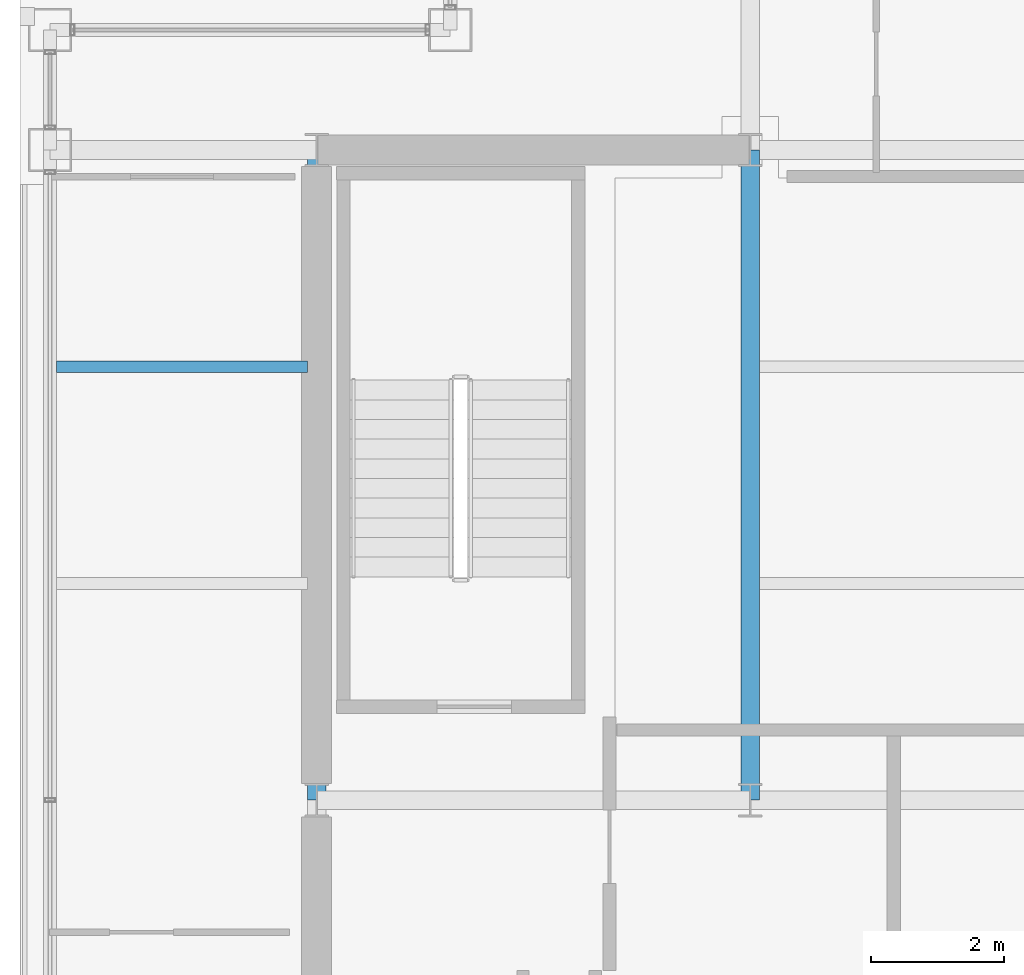
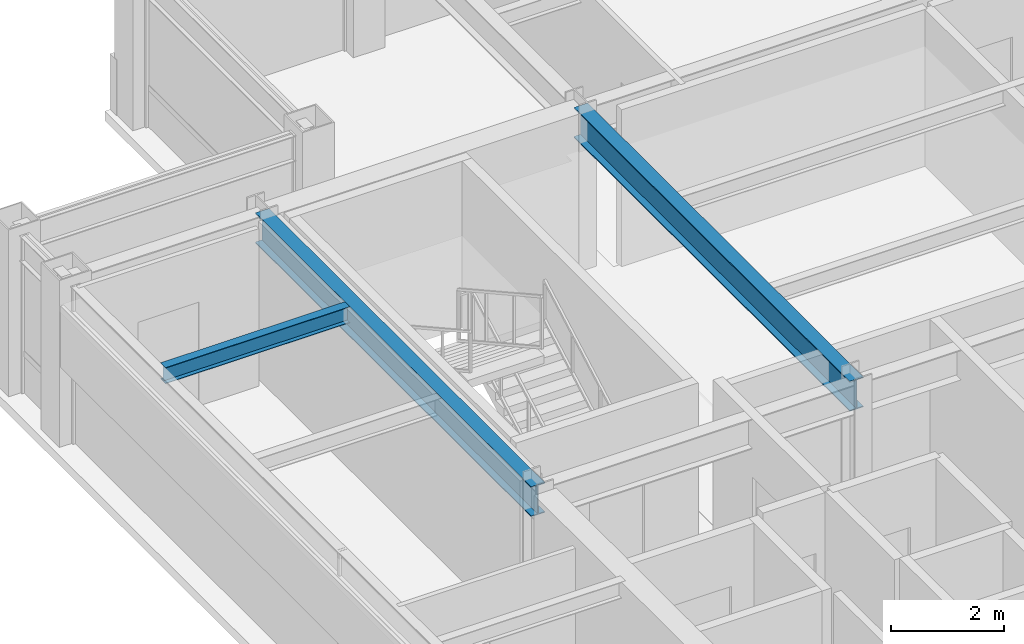
# One storey, part 7 of 23: 3 beams.
"""IFC4 building model written with IfcOpenShell, lengths in metres."""

from ifc_helpers import new_model, si_unit, direction, frame, origin, origin_2d, place, context, subcontext, project, spatial, i_section, extrude, material, material_profile, profile_set, type_object, element, save


model = new_model("IFC4")

# Units and contexts
model_context = context("Model", 3, precision=1e-05, world=origin(), true_north=direction((0.0, 1.0)))
body_context = subcontext(model_context, "Body", "Model", "MODEL_VIEW")
ifc_project = project(units=[si_unit("LENGTHUNIT", "METRE"), si_unit("AREAUNIT", "SQUARE_METRE"), si_unit("VOLUMEUNIT", "CUBIC_METRE"), si_unit("PLANEANGLEUNIT", "RADIAN"), si_unit("MASSUNIT", "GRAM", prefix="KILO")], contexts=[model_context])

# Site, building, storey
site_placement = place(None, origin())
site = spatial("IfcSite", under=ifc_project, at=site_placement, CompositionType="ELEMENT")
building_placement = place(site_placement, origin())
building = spatial("IfcBuilding", under=site, at=building_placement, Name="Brelmoor Portico Tower", CompositionType="ELEMENT")
storey_placement = place(building_placement, frame((0.0, 0.0, 222.0)))
storey = spatial("IfcBuildingStorey", under=building, at=storey_placement, Name="L58", CompositionType="ELEMENT", Elevation=222.0)

# Beams
ifc_material = material(Name="Steel Q355B", Category="steel")
ifc_material_profile_1 = material_profile(ifc_material, i_section(OverallWidth=0.175048828125, OverallDepth=0.35009765625, WebThickness=0.007080078125, FlangeThickness=0.010986328125, at=origin_2d()), Name="HN 350x175x7x11")
ifc_profile_set_1 = profile_set([ifc_material_profile_1], Name="Steel Q355B")
beam_type_1 = type_object("IfcBeamType", Name="BM-JS-350", PredefinedType="JOIST", material=ifc_profile_set_1)
beam_placement = place(storey_placement, frame((-18.449951171875, 6.5, 3.22509765625), z_axis=(1.0, 0.0, 0.0), x_axis=(0.0, 1.0, 0.0)))
element("IfcBeam", 1, at=beam_placement, inside=storey, type_object=beam_type_1, Name="L58 Secondary Wing Joist JS-W10", PredefinedType="JOIST", context=body_context, shape_type="SweptSolid", body=[
    extrude(i_section(OverallWidth=0.175048828125, OverallDepth=0.35009765625, WebThickness=0.007080078125, FlangeThickness=0.010986328125, at=origin_2d()), origin(), (0.0, 0.0, 1.0), 3.760009765625),
])
ifc_material_profile_2 = material_profile(ifc_material, i_section(OverallWidth=0.280029296875, OverallDepth=0.64990234375, WebThickness=0.012939453125, FlangeThickness=0.02197265625, at=origin_2d()), Name="HN 650x280x13x22")
ifc_profile_set_2 = profile_set([ifc_material_profile_2], Name="Steel Q355B")
beam_type_2 = type_object("IfcBeamType", Name="BM-PG-650", PredefinedType="BEAM", material=ifc_profile_set_2)
for number, where, z_axis, x_axis, name in (
    (2, (-14.550048828125, 0.0, 3.074951171875), (0.0, 1.0, 0.0), (-1.0, 0.0, 0.0), "L58 Primary Floor Girder PG-02"),
    (3, (-8.050048828125, 0.0, 3.074951171875), (0.0, 1.0, 0.0), (-1.0, 0.0, 0.0), "L58 Primary Floor Girder PG-04"),
):
    element("IfcBeam", number, at=place(storey_placement, frame(where, z_axis=z_axis, x_axis=x_axis)), inside=storey, type_object=beam_type_2, Name=name, PredefinedType="BEAM", context=body_context, shape_type="SweptSolid", body=[
        extrude(i_section(OverallWidth=0.280029296875, OverallDepth=0.64990234375, WebThickness=0.012939453125, FlangeThickness=0.02197265625, at=origin_2d()), origin(), (0.0, 0.0, 1.0), 9.75),
    ])

save(model, "model.ifc")
